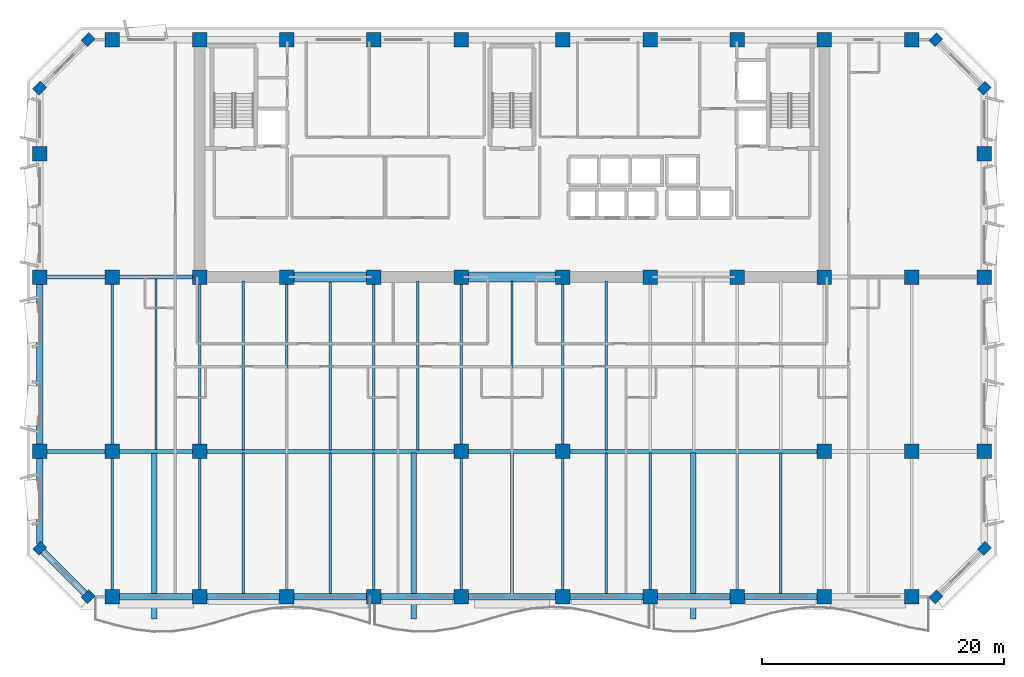
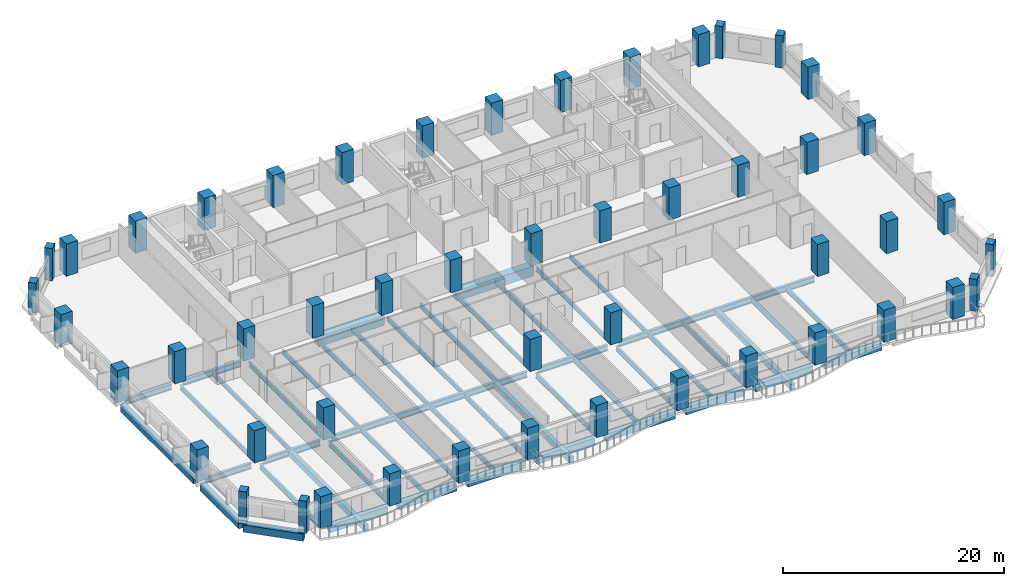
# One storey, part 1 of 14: 50 columns, 48 beams.
"""IFC4 building model written with IfcOpenShell, lengths in metres."""

from ifc_helpers import new_model, si_unit, direction, frame, origin, origin_2d, place, context, subcontext, project, spatial, rectangle, i_section, extrude, material, material_profile, profile_set, type_object, element, save


model = new_model("IFC4")

# Units and contexts
model_context = context("Model", 3, precision=1e-05, world=origin(), true_north=direction((0.0, 1.0)))
body_context = subcontext(model_context, "Body", "Model", "MODEL_VIEW")
ifc_project = project(units=[si_unit("LENGTHUNIT", "METRE"), si_unit("AREAUNIT", "SQUARE_METRE"), si_unit("VOLUMEUNIT", "CUBIC_METRE"), si_unit("PLANEANGLEUNIT", "RADIAN"), si_unit("MASSUNIT", "GRAM", prefix="KILO")], contexts=[model_context])

# Site, building, storey
site_placement = place(None, origin())
site = spatial("IfcSite", under=ifc_project, at=site_placement, CompositionType="ELEMENT")
building_placement = place(site_placement, origin())
building = spatial("IfcBuilding", under=site, at=building_placement, Name="Kaelvorn Grand Hotel", CompositionType="ELEMENT")
storey_placement = place(building_placement, frame((0.0, 0.0, 190.14990234375)))
storey = spatial("IfcBuildingStorey", under=building, at=storey_placement, Name="L46", CompositionType="ELEMENT", Elevation=190.14990234375)

# Columns
ifc_material_1 = material(Name="Concrete C60/75", Category="concrete")
ifc_material_profile_1 = material_profile(ifc_material_1, rectangle(XDim=0.89990234375, YDim=0.75, at=origin_2d()), Name="RC PILASTER 900x750")
ifc_profile_set_1 = profile_set([ifc_material_profile_1], Name="Concrete C60/75")
column_type_1 = type_object("IfcColumnType", Name="COL-PIL-900x750-C60", PredefinedType="PILASTER", material=ifc_profile_set_1)
for number, where, z_axis, x_axis, name in (
    (1, (7.0, 3.0, 0.0), (0.0, 0.0, 1.0), (0.707106781187, 0.707106781187, 0.0), "L46 Structural Column CH-01"),
    (2, (77.0, 3.0, 0.0), (0.0, 0.0, 1.0), (0.707106781187, 0.707106781187, 0.0), "L46 Structural Column CH-02"),
    (3, (81.0, 7.0, 0.0), (0.0, 0.0, 1.0), (0.707106781187, 0.707106781187, 0.0), "L46 Structural Column CH-03"),
    (4, (81.0, 45.0, 0.0), (0.0, 0.0, 1.0), (0.707106781187, 0.707106781187, 0.0), "L46 Structural Column CH-04"),
    (5, (77.0, 49.0, 0.0), (0.0, 0.0, 1.0), (0.707106781187, 0.707106781187, 0.0), "L46 Structural Column CH-05"),
    (6, (7.0, 49.0, 0.0), (0.0, 0.0, 1.0), (0.707106781187, 0.707106781187, 0.0), "L46 Structural Column CH-06"),
    (7, (3.0, 45.0, 0.0), (0.0, 0.0, 1.0), (0.707106781187, 0.707106781187, 0.0), "L46 Structural Column CH-07"),
    (8, (3.0, 7.0, 0.0), (0.0, 0.0, 1.0), (0.707106781187, 0.707106781187, 0.0), "L46 Structural Column CH-08"),
):
    element("IfcColumn", number, at=place(storey_placement, frame(where, z_axis=z_axis, x_axis=x_axis)), inside=storey, type_object=column_type_1, Name=name, PredefinedType="PILASTER", context=body_context, shape_type="SweptSolid", body=[
        extrude(rectangle(XDim=0.89990234375, YDim=0.75, at=origin_2d()), origin(), (0.0, 0.0, 1.0), 3.56005859375),
    ])
ifc_material_profile_2 = material_profile(ifc_material_1, rectangle(XDim=1.199951171875, YDim=1.199951171875, at=origin_2d()), Name="RC COL 1200x1200")
ifc_profile_set_2 = profile_set([ifc_material_profile_2], Name="Concrete C60/75")
column_type_2 = type_object("IfcColumnType", Name="COL-RC-1200-C60", PredefinedType="COLUMN", material=ifc_profile_set_2)
for number, where, z_axis, x_axis, name in (
    (9, (9.0, 3.0, 0.0), (0.0, 0.0, 1.0), (1.0, 0.0, 0.0), "L46 Structural Column S-01"),
    (10, (16.199951171875, 3.0, 0.0), (0.0, 0.0, 1.0), (1.0, 0.0, 0.0), "L46 Structural Column S-02"),
    (11, (23.39990234375, 3.0, 0.0), (0.0, 0.0, 1.0), (1.0, 0.0, 0.0), "L46 Structural Column S-03"),
    (12, (30.60009765625, 3.0, 0.0), (0.0, 0.0, 1.0), (1.0, 0.0, 0.0), "L46 Structural Column S-04"),
    (13, (37.800048828125, 3.0, 0.0), (0.0, 0.0, 1.0), (1.0, 0.0, 0.0), "L46 Structural Column S-05"),
    (14, (46.199951171875, 3.0, 0.0), (0.0, 0.0, 1.0), (1.0, 0.0, 0.0), "L46 Structural Column S-06"),
    (15, (53.39990234375, 3.0, 0.0), (0.0, 0.0, 1.0), (1.0, 0.0, 0.0), "L46 Structural Column S-07"),
    (16, (60.60009765625, 3.0, 0.0), (0.0, 0.0, 1.0), (1.0, 0.0, 0.0), "L46 Structural Column S-08"),
    (17, (67.800048828125, 3.0, 0.0), (0.0, 0.0, 1.0), (1.0, 0.0, 0.0), "L46 Structural Column S-09"),
    (18, (75.0, 3.0, 0.0), (0.0, 0.0, 1.0), (1.0, 0.0, 0.0), "L46 Structural Column S-10"),
    (19, (3.0, 15.0, 0.0), (0.0, 0.0, 1.0), (1.0, 0.0, 0.0), "L46 Structural Column W-01"),
    (20, (81.0, 15.0, 0.0), (0.0, 0.0, 1.0), (1.0, 0.0, 0.0), "L46 Structural Column E-01"),
    (21, (3.0, 29.39990234375, 0.0), (0.0, 0.0, 1.0), (1.0, 0.0, 0.0), "L46 Structural Column W-02"),
    (22, (81.0, 29.39990234375, 0.0), (0.0, 0.0, 1.0), (1.0, 0.0, 0.0), "L46 Structural Column E-02"),
    (23, (3.0, 39.60009765625, 0.0), (0.0, 0.0, 1.0), (1.0, 0.0, 0.0), "L46 Structural Column W-03"),
    (24, (81.0, 39.60009765625, 0.0), (0.0, 0.0, 1.0), (1.0, 0.0, 0.0), "L46 Structural Column E-03"),
    (25, (9.0, 15.0, 0.0), (0.0, 0.0, 1.0), (1.0, 0.0, 0.0), "L46 Structural Column M-01"),
    (26, (16.199951171875, 15.0, 0.0), (0.0, 0.0, 1.0), (1.0, 0.0, 0.0), "L46 Structural Column M-02"),
    (27, (37.800048828125, 15.0, 0.0), (0.0, 0.0, 1.0), (1.0, 0.0, 0.0), "L46 Structural Column M-03"),
    (28, (46.199951171875, 15.0, 0.0), (0.0, 0.0, 1.0), (1.0, 0.0, 0.0), "L46 Structural Column M-04"),
    (29, (67.800048828125, 15.0, 0.0), (0.0, 0.0, 1.0), (1.0, 0.0, 0.0), "L46 Structural Column M-05"),
    (30, (75.0, 15.0, 0.0), (0.0, 0.0, 1.0), (1.0, 0.0, 0.0), "L46 Structural Column M-06"),
    (31, (9.0, 29.39990234375, 0.0), (0.0, 0.0, 1.0), (1.0, 0.0, 0.0), "L46 Structural Column CR1-01"),
    (32, (9.0, 49.0, 0.0), (0.0, 0.0, 1.0), (1.0, 0.0, 0.0), "L46 Structural Column CR2-01"),
    (33, (16.199951171875, 29.39990234375, 0.0), (0.0, 0.0, 1.0), (1.0, 0.0, 0.0), "L46 Structural Column CR1-02"),
    (34, (16.199951171875, 49.0, 0.0), (0.0, 0.0, 1.0), (1.0, 0.0, 0.0), "L46 Structural Column CR2-02"),
    (35, (23.39990234375, 29.39990234375, 0.0), (0.0, 0.0, 1.0), (1.0, 0.0, 0.0), "L46 Structural Column CR1-03"),
    (36, (23.39990234375, 49.0, 0.0), (0.0, 0.0, 1.0), (1.0, 0.0, 0.0), "L46 Structural Column CR2-03"),
    (37, (30.60009765625, 29.39990234375, 0.0), (0.0, 0.0, 1.0), (1.0, 0.0, 0.0), "L46 Structural Column CR1-04"),
    (38, (30.60009765625, 49.0, 0.0), (0.0, 0.0, 1.0), (1.0, 0.0, 0.0), "L46 Structural Column CR2-04"),
    (39, (37.800048828125, 29.39990234375, 0.0), (0.0, 0.0, 1.0), (1.0, 0.0, 0.0), "L46 Structural Column CR1-05"),
    (40, (37.800048828125, 49.0, 0.0), (0.0, 0.0, 1.0), (1.0, 0.0, 0.0), "L46 Structural Column CR2-05"),
    (41, (46.199951171875, 29.39990234375, 0.0), (0.0, 0.0, 1.0), (1.0, 0.0, 0.0), "L46 Structural Column CR1-06"),
    (42, (46.199951171875, 49.0, 0.0), (0.0, 0.0, 1.0), (1.0, 0.0, 0.0), "L46 Structural Column CR2-06"),
    (43, (53.39990234375, 29.39990234375, 0.0), (0.0, 0.0, 1.0), (1.0, 0.0, 0.0), "L46 Structural Column CR1-07"),
    (44, (53.39990234375, 49.0, 0.0), (0.0, 0.0, 1.0), (1.0, 0.0, 0.0), "L46 Structural Column CR2-07"),
    (45, (60.60009765625, 29.39990234375, 0.0), (0.0, 0.0, 1.0), (1.0, 0.0, 0.0), "L46 Structural Column CR1-08"),
    (46, (60.60009765625, 49.0, 0.0), (0.0, 0.0, 1.0), (1.0, 0.0, 0.0), "L46 Structural Column CR2-08"),
    (47, (67.800048828125, 29.39990234375, 0.0), (0.0, 0.0, 1.0), (1.0, 0.0, 0.0), "L46 Structural Column CR1-09"),
    (48, (67.800048828125, 49.0, 0.0), (0.0, 0.0, 1.0), (1.0, 0.0, 0.0), "L46 Structural Column CR2-09"),
    (49, (75.0, 29.39990234375, 0.0), (0.0, 0.0, 1.0), (1.0, 0.0, 0.0), "L46 Structural Column CR1-10"),
    (50, (75.0, 49.0, 0.0), (0.0, 0.0, 1.0), (1.0, 0.0, 0.0), "L46 Structural Column CR2-10"),
):
    element("IfcColumn", number, at=place(storey_placement, frame(where, z_axis=z_axis, x_axis=x_axis)), inside=storey, type_object=column_type_2, Name=name, PredefinedType="COLUMN", context=body_context, shape_type="SweptSolid", body=[
        extrude(rectangle(XDim=1.199951171875, YDim=1.199951171875, at=origin_2d()), origin(), (0.0, 0.0, 1.0), 3.56005859375),
    ])

# Beams
ifc_material_2 = material(Name="Steel S355", Category="steel")
ifc_material_profile_3 = material_profile(ifc_material_2, i_section(OverallWidth=0.300048828125, OverallDepth=0.64990234375, WebThickness=0.01611328125, FlangeThickness=0.031005859375, FilletRadius=0.027099609375, at=origin_2d()), Name="HEB 650")
ifc_profile_set_3 = profile_set([ifc_material_profile_3], Name="Steel S355")
beam_type_1 = type_object("IfcBeamType", Name="BM-G-HEB650-S355", PredefinedType="BEAM", material=ifc_profile_set_3)
beam_1_placement = place(storey_placement, frame((3.5849609375, 15.0, -0.56494140625), z_axis=(1.0, 0.0, 0.0), x_axis=(0.0, 1.0, 0.0)))
element("IfcBeam", 51, at=beam_1_placement, inside=storey, type_object=beam_type_1, Name="L46 Primary Spine Steel Girder G-15 01", PredefinedType="BEAM", context=body_context, shape_type="SweptSolid", body=[
    extrude(i_section(OverallWidth=0.300048828125, OverallDepth=0.64990234375, WebThickness=0.01611328125, FlangeThickness=0.031005859375, FilletRadius=0.027099609375, at=origin_2d()), origin(), (0.0, 0.0, 1.0), 4.830078125),
])
beam_2_placement = place(storey_placement, frame((9.5849609375, 15.0, -0.56494140625), z_axis=(1.0, 0.0, 0.0), x_axis=(0.0, 1.0, 0.0)))
element("IfcBeam", 52, at=beam_2_placement, inside=storey, type_object=beam_type_1, Name="L46 Primary Spine Steel Girder G-15 02", PredefinedType="BEAM", context=body_context, shape_type="SweptSolid", body=[
    extrude(i_section(OverallWidth=0.300048828125, OverallDepth=0.64990234375, WebThickness=0.01611328125, FlangeThickness=0.031005859375, FilletRadius=0.027099609375, at=origin_2d()), origin(), (0.0, 0.0, 1.0), 6.030029296875),
])
beam_3_placement = place(storey_placement, frame((16.784912109375, 15.0, -0.56494140625), z_axis=(1.0, 0.0, 0.0), x_axis=(0.0, 1.0, 0.0)))
element("IfcBeam", 53, at=beam_3_placement, inside=storey, type_object=beam_type_1, Name="L46 Primary Spine Steel Girder G-15 03", PredefinedType="BEAM", context=body_context, shape_type="SweptSolid", body=[
    extrude(i_section(OverallWidth=0.300048828125, OverallDepth=0.64990234375, WebThickness=0.01611328125, FlangeThickness=0.031005859375, FilletRadius=0.027099609375, at=origin_2d()), origin(), (0.0, 0.0, 1.0), 20.43017578125),
])
beam_4_placement = place(storey_placement, frame((38.385009765625, 15.0, -0.56494140625), z_axis=(1.0, 0.0, 0.0), x_axis=(0.0, 1.0, 0.0)))
element("IfcBeam", 54, at=beam_4_placement, inside=storey, type_object=beam_type_1, Name="L46 Primary Spine Steel Girder G-15 04", PredefinedType="BEAM", context=body_context, shape_type="SweptSolid", body=[
    extrude(i_section(OverallWidth=0.300048828125, OverallDepth=0.64990234375, WebThickness=0.01611328125, FlangeThickness=0.031005859375, FilletRadius=0.027099609375, at=origin_2d()), origin(), (0.0, 0.0, 1.0), 7.22998046875),
])
beam_5_placement = place(storey_placement, frame((46.784912109375, 15.0, -0.56494140625), z_axis=(1.0, 0.0, 0.0), x_axis=(0.0, 1.0, 0.0)))
element("IfcBeam", 55, at=beam_5_placement, inside=storey, type_object=beam_type_1, Name="L46 Primary Spine Steel Girder G-15 05", PredefinedType="BEAM", context=body_context, shape_type="SweptSolid", body=[
    extrude(i_section(OverallWidth=0.300048828125, OverallDepth=0.64990234375, WebThickness=0.01611328125, FlangeThickness=0.031005859375, FilletRadius=0.027099609375, at=origin_2d()), origin(), (0.0, 0.0, 1.0), 20.43017578125),
])
beam_6_placement = place(storey_placement, frame((3.5849609375, 29.39990234375, -0.56494140625), z_axis=(1.0, 0.0, 0.0), x_axis=(0.0, 1.0, 0.0)))
element("IfcBeam", 56, at=beam_6_placement, inside=storey, type_object=beam_type_1, Name="L46 West Core Wing Steel Girder G-29W 01", PredefinedType="BEAM", context=body_context, shape_type="SweptSolid", body=[
    extrude(i_section(OverallWidth=0.300048828125, OverallDepth=0.64990234375, WebThickness=0.01611328125, FlangeThickness=0.031005859375, FilletRadius=0.027099609375, at=origin_2d()), origin(), (0.0, 0.0, 1.0), 4.830078125),
])
beam_7_placement = place(storey_placement, frame((9.5849609375, 29.39990234375, -0.56494140625), z_axis=(1.0, 0.0, 0.0), x_axis=(0.0, 1.0, 0.0)))
element("IfcBeam", 57, at=beam_7_placement, inside=storey, type_object=beam_type_1, Name="L46 West Core Wing Steel Girder G-29W 02", PredefinedType="BEAM", context=body_context, shape_type="SweptSolid", body=[
    extrude(i_section(OverallWidth=0.300048828125, OverallDepth=0.64990234375, WebThickness=0.01611328125, FlangeThickness=0.031005859375, FilletRadius=0.027099609375, at=origin_2d()), origin(), (0.0, 0.0, 1.0), 6.030029296875),
])
ifc_material_profile_4 = material_profile(ifc_material_2, i_section(OverallWidth=0.199951171875, OverallDepth=0.5, WebThickness=0.01025390625, FlangeThickness=0.01611328125, FilletRadius=0.02099609375, at=origin_2d()), Name="IPE 500")
ifc_profile_set_4 = profile_set([ifc_material_profile_4], Name="Steel S355")
beam_type_2 = type_object("IfcBeamType", Name="BM-J-IPE500-S355", PredefinedType="JOIST", material=ifc_profile_set_4)
beam_8_placement = place(storey_placement, frame((9.0, 15.5849609375, -0.489990234375), z_axis=(0.0, 1.0, 0.0), x_axis=(-1.0, 0.0, 0.0)))
element("IfcBeam", 58, at=beam_8_placement, inside=storey, type_object=beam_type_2, Name="L46 Composite Floor Joist JM-03", PredefinedType="JOIST", context=body_context, shape_type="SweptSolid", body=[
    extrude(i_section(OverallWidth=0.199951171875, OverallDepth=0.5, WebThickness=0.01025390625, FlangeThickness=0.01611328125, FilletRadius=0.02099609375, at=origin_2d()), origin(), (0.0, 0.0, 1.0), 13.22998046875),
])
beam_9_placement = place(storey_placement, frame((12.60009765625, 15.135009765625, -0.489990234375), z_axis=(0.0, 1.0, 0.0), x_axis=(-1.0, 0.0, 0.0)))
element("IfcBeam", 59, at=beam_9_placement, inside=storey, type_object=beam_type_2, Name="L46 Composite Floor Joist JM-04", PredefinedType="JOIST", context=body_context, shape_type="SweptSolid", body=[
    extrude(i_section(OverallWidth=0.199951171875, OverallDepth=0.5, WebThickness=0.01025390625, FlangeThickness=0.01611328125, FilletRadius=0.02099609375, at=origin_2d()), origin(), (0.0, 0.0, 1.0), 14.1298828125),
])
beam_10_placement = place(storey_placement, frame((16.199951171875, 15.5849609375, -0.489990234375), z_axis=(0.0, 1.0, 0.0), x_axis=(-1.0, 0.0, 0.0)))
element("IfcBeam", 60, at=beam_10_placement, inside=storey, type_object=beam_type_2, Name="L46 Composite Floor Joist JM-05", PredefinedType="JOIST", context=body_context, shape_type="SweptSolid", body=[
    extrude(i_section(OverallWidth=0.199951171875, OverallDepth=0.5, WebThickness=0.01025390625, FlangeThickness=0.01611328125, FilletRadius=0.02099609375, at=origin_2d()), origin(), (0.0, 0.0, 1.0), 13.22998046875),
])
beam_11_placement = place(storey_placement, frame((19.800048828125, 15.135009765625, -0.489990234375), z_axis=(0.0, 1.0, 0.0), x_axis=(-1.0, 0.0, 0.0)))
element("IfcBeam", 61, at=beam_11_placement, inside=storey, type_object=beam_type_2, Name="L46 Composite Floor Joist JM-06", PredefinedType="JOIST", context=body_context, shape_type="SweptSolid", body=[
    extrude(i_section(OverallWidth=0.199951171875, OverallDepth=0.5, WebThickness=0.01025390625, FlangeThickness=0.01611328125, FilletRadius=0.02099609375, at=origin_2d()), origin(), (0.0, 0.0, 1.0), 13.925048828125),
])
beam_12_placement = place(storey_placement, frame((23.39990234375, 15.135009765625, -0.489990234375), z_axis=(0.0, 1.0, 0.0), x_axis=(-1.0, 0.0, 0.0)))
element("IfcBeam", 62, at=beam_12_placement, inside=storey, type_object=beam_type_2, Name="L46 Composite Floor Joist JM-07", PredefinedType="JOIST", context=body_context, shape_type="SweptSolid", body=[
    extrude(i_section(OverallWidth=0.199951171875, OverallDepth=0.5, WebThickness=0.01025390625, FlangeThickness=0.01611328125, FilletRadius=0.02099609375, at=origin_2d()), origin(), (0.0, 0.0, 1.0), 13.679931640625),
])
beam_13_placement = place(storey_placement, frame((27.0, 15.135009765625, -0.489990234375), z_axis=(0.0, 1.0, 0.0), x_axis=(-1.0, 0.0, 0.0)))
element("IfcBeam", 63, at=beam_13_placement, inside=storey, type_object=beam_type_2, Name="L46 Composite Floor Joist JM-08", PredefinedType="JOIST", context=body_context, shape_type="SweptSolid", body=[
    extrude(i_section(OverallWidth=0.199951171875, OverallDepth=0.5, WebThickness=0.01025390625, FlangeThickness=0.01611328125, FilletRadius=0.02099609375, at=origin_2d()), origin(), (0.0, 0.0, 1.0), 13.925048828125),
])
beam_14_placement = place(storey_placement, frame((30.60009765625, 15.135009765625, -0.489990234375), z_axis=(0.0, 1.0, 0.0), x_axis=(-1.0, 0.0, 0.0)))
element("IfcBeam", 64, at=beam_14_placement, inside=storey, type_object=beam_type_2, Name="L46 Composite Floor Joist JM-09", PredefinedType="JOIST", context=body_context, shape_type="SweptSolid", body=[
    extrude(i_section(OverallWidth=0.199951171875, OverallDepth=0.5, WebThickness=0.01025390625, FlangeThickness=0.01611328125, FilletRadius=0.02099609375, at=origin_2d()), origin(), (0.0, 0.0, 1.0), 13.679931640625),
])
beam_15_placement = place(storey_placement, frame((34.199951171875, 15.135009765625, -0.489990234375), z_axis=(0.0, 1.0, 0.0), x_axis=(-1.0, 0.0, 0.0)))
element("IfcBeam", 65, at=beam_15_placement, inside=storey, type_object=beam_type_2, Name="L46 Composite Floor Joist JM-10", PredefinedType="JOIST", context=body_context, shape_type="SweptSolid", body=[
    extrude(i_section(OverallWidth=0.199951171875, OverallDepth=0.5, WebThickness=0.01025390625, FlangeThickness=0.01611328125, FilletRadius=0.02099609375, at=origin_2d()), origin(), (0.0, 0.0, 1.0), 13.925048828125),
])
beam_16_placement = place(storey_placement, frame((37.800048828125, 15.5849609375, -0.489990234375), z_axis=(0.0, 1.0, 0.0), x_axis=(-1.0, 0.0, 0.0)))
element("IfcBeam", 66, at=beam_16_placement, inside=storey, type_object=beam_type_2, Name="L46 Composite Floor Joist JM-11", PredefinedType="JOIST", context=body_context, shape_type="SweptSolid", body=[
    extrude(i_section(OverallWidth=0.199951171875, OverallDepth=0.5, WebThickness=0.01025390625, FlangeThickness=0.01611328125, FilletRadius=0.02099609375, at=origin_2d()), origin(), (0.0, 0.0, 1.0), 13.22998046875),
])
beam_17_placement = place(storey_placement, frame((42.0, 15.135009765625, -0.489990234375), z_axis=(0.0, 1.0, 0.0), x_axis=(-1.0, 0.0, 0.0)))
element("IfcBeam", 67, at=beam_17_placement, inside=storey, type_object=beam_type_2, Name="L46 Composite Floor Joist JM-12", PredefinedType="JOIST", context=body_context, shape_type="SweptSolid", body=[
    extrude(i_section(OverallWidth=0.199951171875, OverallDepth=0.5, WebThickness=0.01025390625, FlangeThickness=0.01611328125, FilletRadius=0.02099609375, at=origin_2d()), origin(), (0.0, 0.0, 1.0), 13.925048828125),
])
beam_18_placement = place(storey_placement, frame((46.199951171875, 15.5849609375, -0.489990234375), z_axis=(0.0, 1.0, 0.0), x_axis=(-1.0, 0.0, 0.0)))
element("IfcBeam", 68, at=beam_18_placement, inside=storey, type_object=beam_type_2, Name="L46 Composite Floor Joist JM-13", PredefinedType="JOIST", context=body_context, shape_type="SweptSolid", body=[
    extrude(i_section(OverallWidth=0.199951171875, OverallDepth=0.5, WebThickness=0.01025390625, FlangeThickness=0.01611328125, FilletRadius=0.02099609375, at=origin_2d()), origin(), (0.0, 0.0, 1.0), 13.22998046875),
])
beam_19_placement = place(storey_placement, frame((49.800048828125, 15.135009765625, -0.489990234375), z_axis=(0.0, 1.0, 0.0), x_axis=(-1.0, 0.0, 0.0)))
element("IfcBeam", 69, at=beam_19_placement, inside=storey, type_object=beam_type_2, Name="L46 Composite Floor Joist JM-14", PredefinedType="JOIST", context=body_context, shape_type="SweptSolid", body=[
    extrude(i_section(OverallWidth=0.199951171875, OverallDepth=0.5, WebThickness=0.01025390625, FlangeThickness=0.01611328125, FilletRadius=0.02099609375, at=origin_2d()), origin(), (0.0, 0.0, 1.0), 13.925048828125),
])
ifc_material_profile_5 = material_profile(ifc_material_2, i_section(OverallWidth=0.2099609375, OverallDepth=0.550048828125, WebThickness=0.010986328125, FlangeThickness=0.01708984375, FilletRadius=0.02392578125, at=origin_2d()), Name="IPE 550")
ifc_profile_set_5 = profile_set([ifc_material_profile_5], Name="Steel S355")
beam_type_3 = type_object("IfcBeamType", Name="BM-J-IPE550-S355", PredefinedType="JOIST", material=ifc_profile_set_5)
for number, where, z_axis, x_axis, name in (
    (70, (9.0, 3.5849609375, -0.514892578125), (0.0, 1.0, 0.0), (-1.0, 0.0, 0.0), "L46 Composite Floor Joist JS-03"),
    (71, (16.199951171875, 3.5849609375, -0.514892578125), (0.0, 1.0, 0.0), (-1.0, 0.0, 0.0), "L46 Composite Floor Joist JS-05"),
):
    element("IfcBeam", number, at=place(storey_placement, frame(where, z_axis=z_axis, x_axis=x_axis)), inside=storey, type_object=beam_type_3, Name=name, PredefinedType="JOIST", context=body_context, shape_type="SweptSolid", body=[
        extrude(i_section(OverallWidth=0.2099609375, OverallDepth=0.550048828125, WebThickness=0.010986328125, FlangeThickness=0.01708984375, FilletRadius=0.02392578125, at=origin_2d()), origin(), (0.0, 0.0, 1.0), 10.830078125),
    ])
beam_20_placement = place(storey_placement, frame((19.800048828125, 3.260009765625, -0.514892578125), z_axis=(0.0, 1.0, 0.0), x_axis=(-1.0, 0.0, 0.0)))
element("IfcBeam", 72, at=beam_20_placement, inside=storey, type_object=beam_type_3, Name="L46 Composite Floor Joist JS-06", PredefinedType="JOIST", context=body_context, shape_type="SweptSolid", body=[
    extrude(i_section(OverallWidth=0.2099609375, OverallDepth=0.550048828125, WebThickness=0.010986328125, FlangeThickness=0.01708984375, FilletRadius=0.02392578125, at=origin_2d()), origin(), (0.0, 0.0, 1.0), 11.60498046875),
])
beam_21_placement = place(storey_placement, frame((23.39990234375, 3.5849609375, -0.514892578125), z_axis=(0.0, 1.0, 0.0), x_axis=(-1.0, 0.0, 0.0)))
element("IfcBeam", 73, at=beam_21_placement, inside=storey, type_object=beam_type_3, Name="L46 Composite Floor Joist JS-07", PredefinedType="JOIST", context=body_context, shape_type="SweptSolid", body=[
    extrude(i_section(OverallWidth=0.2099609375, OverallDepth=0.550048828125, WebThickness=0.010986328125, FlangeThickness=0.01708984375, FilletRadius=0.02392578125, at=origin_2d()), origin(), (0.0, 0.0, 1.0), 11.280029296875),
])
beam_22_placement = place(storey_placement, frame((27.0, 3.260009765625, -0.514892578125), z_axis=(0.0, 1.0, 0.0), x_axis=(-1.0, 0.0, 0.0)))
element("IfcBeam", 74, at=beam_22_placement, inside=storey, type_object=beam_type_3, Name="L46 Composite Floor Joist JS-08", PredefinedType="JOIST", context=body_context, shape_type="SweptSolid", body=[
    extrude(i_section(OverallWidth=0.2099609375, OverallDepth=0.550048828125, WebThickness=0.010986328125, FlangeThickness=0.01708984375, FilletRadius=0.02392578125, at=origin_2d()), origin(), (0.0, 0.0, 1.0), 11.60498046875),
])
beam_23_placement = place(storey_placement, frame((30.60009765625, 3.5849609375, -0.514892578125), z_axis=(0.0, 1.0, 0.0), x_axis=(-1.0, 0.0, 0.0)))
element("IfcBeam", 75, at=beam_23_placement, inside=storey, type_object=beam_type_3, Name="L46 Composite Floor Joist JS-09", PredefinedType="JOIST", context=body_context, shape_type="SweptSolid", body=[
    extrude(i_section(OverallWidth=0.2099609375, OverallDepth=0.550048828125, WebThickness=0.010986328125, FlangeThickness=0.01708984375, FilletRadius=0.02392578125, at=origin_2d()), origin(), (0.0, 0.0, 1.0), 11.280029296875),
])
beam_24_placement = place(storey_placement, frame((37.800048828125, 3.5849609375, -0.514892578125), z_axis=(0.0, 1.0, 0.0), x_axis=(-1.0, 0.0, 0.0)))
element("IfcBeam", 76, at=beam_24_placement, inside=storey, type_object=beam_type_3, Name="L46 Composite Floor Joist JS-11", PredefinedType="JOIST", context=body_context, shape_type="SweptSolid", body=[
    extrude(i_section(OverallWidth=0.2099609375, OverallDepth=0.550048828125, WebThickness=0.010986328125, FlangeThickness=0.01708984375, FilletRadius=0.02392578125, at=origin_2d()), origin(), (0.0, 0.0, 1.0), 10.830078125),
])
beam_25_placement = place(storey_placement, frame((42.0, 3.260009765625, -0.514892578125), z_axis=(0.0, 1.0, 0.0), x_axis=(-1.0, 0.0, 0.0)))
element("IfcBeam", 77, at=beam_25_placement, inside=storey, type_object=beam_type_3, Name="L46 Composite Floor Joist JS-12", PredefinedType="JOIST", context=body_context, shape_type="SweptSolid", body=[
    extrude(i_section(OverallWidth=0.2099609375, OverallDepth=0.550048828125, WebThickness=0.010986328125, FlangeThickness=0.01708984375, FilletRadius=0.02392578125, at=origin_2d()), origin(), (0.0, 0.0, 1.0), 11.60498046875),
])
beam_26_placement = place(storey_placement, frame((46.199951171875, 3.5849609375, -0.514892578125), z_axis=(0.0, 1.0, 0.0), x_axis=(-1.0, 0.0, 0.0)))
element("IfcBeam", 78, at=beam_26_placement, inside=storey, type_object=beam_type_3, Name="L46 Composite Floor Joist JS-13", PredefinedType="JOIST", context=body_context, shape_type="SweptSolid", body=[
    extrude(i_section(OverallWidth=0.2099609375, OverallDepth=0.550048828125, WebThickness=0.010986328125, FlangeThickness=0.01708984375, FilletRadius=0.02392578125, at=origin_2d()), origin(), (0.0, 0.0, 1.0), 10.830078125),
])
beam_27_placement = place(storey_placement, frame((49.800048828125, 3.260009765625, -0.514892578125), z_axis=(0.0, 1.0, 0.0), x_axis=(-1.0, 0.0, 0.0)))
element("IfcBeam", 79, at=beam_27_placement, inside=storey, type_object=beam_type_3, Name="L46 Composite Floor Joist JS-14", PredefinedType="JOIST", context=body_context, shape_type="SweptSolid", body=[
    extrude(i_section(OverallWidth=0.2099609375, OverallDepth=0.550048828125, WebThickness=0.010986328125, FlangeThickness=0.01708984375, FilletRadius=0.02392578125, at=origin_2d()), origin(), (0.0, 0.0, 1.0), 11.60498046875),
])
for number, where, z_axis, x_axis, name in (
    (80, (53.39990234375, 3.5849609375, -0.514892578125), (0.0, 1.0, 0.0), (-1.0, 0.0, 0.0), "L46 Composite Floor Joist JS-15"),
    (81, (60.60009765625, 3.5849609375, -0.514892578125), (0.0, 1.0, 0.0), (-1.0, 0.0, 0.0), "L46 Composite Floor Joist JS-17"),
):
    element("IfcBeam", number, at=place(storey_placement, frame(where, z_axis=z_axis, x_axis=x_axis)), inside=storey, type_object=beam_type_3, Name=name, PredefinedType="JOIST", context=body_context, shape_type="SweptSolid", body=[
        extrude(i_section(OverallWidth=0.2099609375, OverallDepth=0.550048828125, WebThickness=0.010986328125, FlangeThickness=0.01708984375, FilletRadius=0.02392578125, at=origin_2d()), origin(), (0.0, 0.0, 1.0), 11.280029296875),
    ])
beam_28_placement = place(storey_placement, frame((64.199951171875, 3.260009765625, -0.514892578125), z_axis=(0.0, 1.0, 0.0), x_axis=(-1.0, 0.0, 0.0)))
element("IfcBeam", 82, at=beam_28_placement, inside=storey, type_object=beam_type_3, Name="L46 Composite Floor Joist JS-18", PredefinedType="JOIST", context=body_context, shape_type="SweptSolid", body=[
    extrude(i_section(OverallWidth=0.2099609375, OverallDepth=0.550048828125, WebThickness=0.010986328125, FlangeThickness=0.01708984375, FilletRadius=0.02392578125, at=origin_2d()), origin(), (0.0, 0.0, 1.0), 11.60498046875),
])
ifc_material_profile_6 = material_profile(ifc_material_1, rectangle(XDim=0.800048828125, YDim=1.10009765625, at=origin_2d()), Name="RC LINTEL 800x1100")
ifc_profile_set_6 = profile_set([ifc_material_profile_6], Name="Concrete C60/75")
beam_type_4 = type_object("IfcBeamType", Name="BM-LIN-800x1100-C60", PredefinedType="LINTEL", material=ifc_profile_set_6)
beam_29_placement = place(storey_placement, frame((23.580078125, 29.39990234375, -0.789794921875), z_axis=(1.0, 0.0, 0.0), x_axis=(0.0, 1.0, 0.0)))
element("IfcBeam", 83, at=beam_29_placement, inside=storey, type_object=beam_type_4, Name="L46 Rear-Core Coupling Lintel Beam CB1-01", PredefinedType="LINTEL", context=body_context, shape_type="SweptSolid", body=[
    extrude(rectangle(XDim=0.800048828125, YDim=1.10009765625, at=origin_2d()), origin(), (0.0, 0.0, 1.0), 6.83984375),
])
beam_30_placement = place(storey_placement, frame((37.97998046875, 29.39990234375, -0.789794921875), z_axis=(1.0, 0.0, 0.0), x_axis=(0.0, 1.0, 0.0)))
element("IfcBeam", 84, at=beam_30_placement, inside=storey, type_object=beam_type_4, Name="L46 Rear-Core Coupling Lintel Beam CB1-02", PredefinedType="LINTEL", context=body_context, shape_type="SweptSolid", body=[
    extrude(rectangle(XDim=0.800048828125, YDim=1.10009765625, at=origin_2d()), origin(), (0.0, 0.0, 1.0), 8.0400390625),
])
ifc_material_3 = material(Name="Concrete C40/50", Category="concrete")
ifc_material_profile_7 = material_profile(ifc_material_3, rectangle(XDim=0.449951171875, YDim=0.64990234375, at=origin_2d()), Name="RC RIB 450x650")
ifc_profile_set_7 = profile_set([ifc_material_profile_7], Name="Concrete C40/50")
beam_type_5 = type_object("IfcBeamType", Name="BM-RIB-450x650-C40", PredefinedType="SPANDREL", material=ifc_profile_set_7)
for number, where, z_axis, x_axis, name in (
    (85, (12.45703125, 1.14990234375, -0.544921875), (0.0, 1.0, 0.0), (-1.0, 0.0, 0.0), "L46 Cantilevered Balcony Back-Span Rib RB1-1"),
    (86, (33.90478515625, 1.14990234375, -0.544921875), (0.0, 1.0, 0.0), (-1.0, 0.0, 0.0), "L46 Cantilevered Balcony Back-Span Rib RB1-2"),
    (87, (56.971435546875, 1.14990234375, -0.544921875), (0.0, 1.0, 0.0), (-1.0, 0.0, 0.0), "L46 Cantilevered Balcony Back-Span Rib RB1-3"),
):
    element("IfcBeam", number, at=place(storey_placement, frame(where, z_axis=z_axis, x_axis=x_axis)), inside=storey, type_object=beam_type_5, Name=name, PredefinedType="SPANDREL", context=body_context, shape_type="SweptSolid", body=[
        extrude(rectangle(XDim=0.449951171875, YDim=0.64990234375, at=origin_2d()), origin(), (0.0, 0.0, 1.0), 13.715087890625),
    ])
ifc_material_4 = material(Name="Concrete C50/60", Category="concrete")
ifc_material_profile_8 = material_profile(ifc_material_4, rectangle(XDim=0.550048828125, YDim=0.800048828125, at=origin_2d()), Name="RC SPANDREL 550x800")
ifc_profile_set_8 = profile_set([ifc_material_profile_8], Name="Concrete C50/60")
beam_type_6 = type_object("IfcBeamType", Name="BM-SP-550x800-C50", PredefinedType="SPANDREL", material=ifc_profile_set_8)
for number, where, z_axis, x_axis, name in (
    (88, (9.5849609375, 3.0, -0.639892578125), (1.0, 0.0, 0.0), (0.0, 1.0, 0.0), "L46 South Perimeter Spandrel 02"),
    (89, (16.784912109375, 3.0, -0.639892578125), (1.0, 0.0, 0.0), (0.0, 1.0, 0.0), "L46 South Perimeter Spandrel 03"),
):
    element("IfcBeam", number, at=place(storey_placement, frame(where, z_axis=z_axis, x_axis=x_axis)), inside=storey, type_object=beam_type_6, Name=name, PredefinedType="SPANDREL", context=body_context, shape_type="SweptSolid", body=[
        extrude(rectangle(XDim=0.550048828125, YDim=0.800048828125, at=origin_2d()), origin(), (0.0, 0.0, 1.0), 6.030029296875),
    ])
beam_31_placement = place(storey_placement, frame((23.985107421875, 3.0, -0.639892578125), z_axis=(1.0, 0.0, 0.0), x_axis=(0.0, 1.0, 0.0)))
element("IfcBeam", 90, at=beam_31_placement, inside=storey, type_object=beam_type_6, Name="L46 South Perimeter Spandrel 04", PredefinedType="SPANDREL", context=body_context, shape_type="SweptSolid", body=[
    extrude(rectangle(XDim=0.550048828125, YDim=0.800048828125, at=origin_2d()), origin(), (0.0, 0.0, 1.0), 6.02978515625),
])
beam_32_placement = place(storey_placement, frame((31.18505859375, 3.0, -0.639892578125), z_axis=(1.0, 0.0, 0.0), x_axis=(0.0, 1.0, 0.0)))
element("IfcBeam", 91, at=beam_32_placement, inside=storey, type_object=beam_type_6, Name="L46 South Perimeter Spandrel 05", PredefinedType="SPANDREL", context=body_context, shape_type="SweptSolid", body=[
    extrude(rectangle(XDim=0.550048828125, YDim=0.800048828125, at=origin_2d()), origin(), (0.0, 0.0, 1.0), 6.030029296875),
])
beam_33_placement = place(storey_placement, frame((38.385009765625, 3.0, -0.639892578125), z_axis=(1.0, 0.0, 0.0), x_axis=(0.0, 1.0, 0.0)))
element("IfcBeam", 92, at=beam_33_placement, inside=storey, type_object=beam_type_6, Name="L46 South Perimeter Spandrel 06", PredefinedType="SPANDREL", context=body_context, shape_type="SweptSolid", body=[
    extrude(rectangle(XDim=0.550048828125, YDim=0.800048828125, at=origin_2d()), origin(), (0.0, 0.0, 1.0), 7.22998046875),
])
beam_34_placement = place(storey_placement, frame((46.784912109375, 3.0, -0.639892578125), z_axis=(1.0, 0.0, 0.0), x_axis=(0.0, 1.0, 0.0)))
element("IfcBeam", 93, at=beam_34_placement, inside=storey, type_object=beam_type_6, Name="L46 South Perimeter Spandrel 07", PredefinedType="SPANDREL", context=body_context, shape_type="SweptSolid", body=[
    extrude(rectangle(XDim=0.550048828125, YDim=0.800048828125, at=origin_2d()), origin(), (0.0, 0.0, 1.0), 6.030029296875),
])
beam_35_placement = place(storey_placement, frame((53.985107421875, 3.0, -0.639892578125), z_axis=(1.0, 0.0, 0.0), x_axis=(0.0, 1.0, 0.0)))
element("IfcBeam", 94, at=beam_35_placement, inside=storey, type_object=beam_type_6, Name="L46 South Perimeter Spandrel 08", PredefinedType="SPANDREL", context=body_context, shape_type="SweptSolid", body=[
    extrude(rectangle(XDim=0.550048828125, YDim=0.800048828125, at=origin_2d()), origin(), (0.0, 0.0, 1.0), 6.02978515625),
])
beam_36_placement = place(storey_placement, frame((61.18505859375, 3.0, -0.639892578125), z_axis=(1.0, 0.0, 0.0), x_axis=(0.0, 1.0, 0.0)))
element("IfcBeam", 95, at=beam_36_placement, inside=storey, type_object=beam_type_6, Name="L46 South Perimeter Spandrel 09", PredefinedType="SPANDREL", context=body_context, shape_type="SweptSolid", body=[
    extrude(rectangle(XDim=0.550048828125, YDim=0.800048828125, at=origin_2d()), origin(), (0.0, 0.0, 1.0), 6.030029296875),
])
beam_37_placement = place(storey_placement, frame((3.0, 7.405029296875, -0.639892578125), z_axis=(0.0, 1.0, 0.0), x_axis=(-1.0, 0.0, 0.0)))
element("IfcBeam", 96, at=beam_37_placement, inside=storey, type_object=beam_type_6, Name="L46 West Perimeter Spandrel 01", PredefinedType="SPANDREL", context=body_context, shape_type="SweptSolid", body=[
    extrude(rectangle(XDim=0.550048828125, YDim=0.800048828125, at=origin_2d()), origin(), (0.0, 0.0, 1.0), 7.010009765625),
])
beam_38_placement = place(storey_placement, frame((3.0, 15.5849609375, -0.639892578125), z_axis=(0.0, 1.0, 0.0), x_axis=(-1.0, 0.0, 0.0)))
element("IfcBeam", 97, at=beam_38_placement, inside=storey, type_object=beam_type_6, Name="L46 West Perimeter Spandrel 02", PredefinedType="SPANDREL", context=body_context, shape_type="SweptSolid", body=[
    extrude(rectangle(XDim=0.550048828125, YDim=0.800048828125, at=origin_2d()), origin(), (0.0, 0.0, 1.0), 13.22998046875),
])
beam_39_placement = place(storey_placement, frame((3.0, 7.0, -0.639892578125), z_axis=(0.707106781187, -0.707106781187, 0.0), x_axis=(0.707106781187, 0.707106781187, 0.0)))
element("IfcBeam", 98, at=beam_39_placement, inside=storey, type_object=beam_type_6, Name="L46 Chamfer Spandrel Beam 4", PredefinedType="SPANDREL", context=body_context, shape_type="SweptSolid", body=[
    extrude(rectangle(XDim=0.550048828125, YDim=0.800048828125, at=origin_2d()), origin(), (0.0, 0.0, 1.0), 5.65673828125),
])

save(model, "model.ifc")
